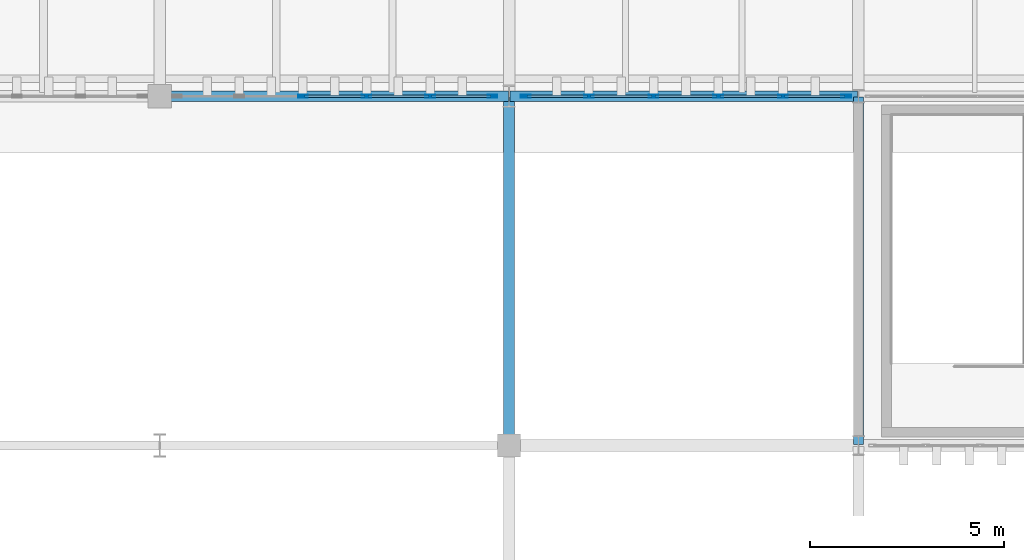
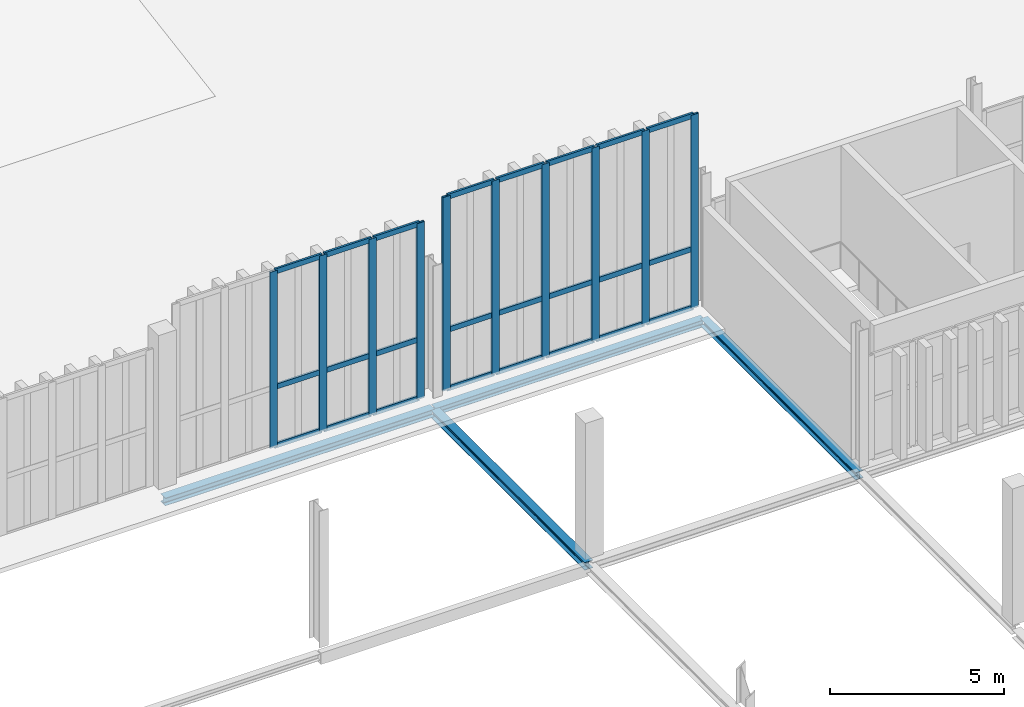
# One storey, part 24 of 196: 34 members, 4 beams, 2 elements without a shape of their own.
"""IFC4 building model written with IfcOpenShell, lengths in metres."""

from ifc_helpers import new_model, si_unit, direction, frame, origin, origin_2d, place, context, subcontext, project, spatial, hollow_rectangle, i_section, extrude, material, layer, layer_set, material_profile, profile_set, type_object, element, aggregate, save


model = new_model("IFC4")

# Units and contexts
model_context = context("Model", 3, precision=1e-05, world=origin(), true_north=direction((0.0, 1.0)))
body_context = subcontext(model_context, "Body", "Model", "MODEL_VIEW")
ifc_project = project(units=[si_unit("LENGTHUNIT", "METRE"), si_unit("AREAUNIT", "SQUARE_METRE"), si_unit("VOLUMEUNIT", "CUBIC_METRE"), si_unit("PLANEANGLEUNIT", "RADIAN"), si_unit("MASSUNIT", "GRAM", prefix="KILO")], contexts=[model_context])

# Site, building, storey
site_placement = place(None, origin())
site = spatial("IfcSite", under=ifc_project, at=site_placement, CompositionType="ELEMENT")
building_placement = place(site_placement, origin())
building = spatial("IfcBuilding", under=site, at=building_placement, Name="Barlavento Convention Centre", CompositionType="ELEMENT")
storey_placement = place(building_placement, frame((0.0, 0.0, 18.0)))
storey = spatial("IfcBuildingStorey", under=building, at=storey_placement, Name="L03", CompositionType="ELEMENT", Elevation=18.0)

# Curtain wall, members
ifc_material_1 = material(Name="Powder-coated aluminium and Low-E glass", Category="aluminium")
ifc_layer = layer(ifc_material_1, 0.18994140625)
ifc_layer_set = layer_set([ifc_layer], Name="ARC-CW-CONG-L02")
curtain_wall_type = type_object("IfcCurtainWallType", Name="ARC-CW-CONG-L02", PredefinedType="NOTDEFINED", material=ifc_layer_set)
curtain_wall_1_placement = place(storey_placement, origin())
curtain_wall_1 = element("IfcCurtainWall", 1, at=curtain_wall_1_placement, inside=storey, type_object=curtain_wall_type, Name="L03 unitised curtain wall CW02", PredefinedType="NOTDEFINED")
ifc_material_2 = material(Name="Powder-coated aluminium", Category="aluminium")
ifc_material_profile_1 = material_profile(ifc_material_2, hollow_rectangle(XDim=0.074951171875, YDim=0.25, WallThickness=0.006103515625, at=origin_2d()), Name="AL-MULL 75x250x6")
ifc_profile_set_1 = profile_set([ifc_material_profile_1], Name="Powder-coated aluminium")
member_type_1 = type_object("IfcMemberType", Name="ARC-CWM-75X250", PredefinedType="MULLION", material=ifc_profile_set_1)
member_1_placement = place(storey_placement, frame((48.6865234375, 54.0, 0.10009765625), z_axis=(0.0, 0.0, 1.0), x_axis=(0.0, 1.0, 0.0)))
member_1 = element("IfcMember", 2, at=member_1_placement, type_object=member_type_1, Name="CW02 mullion 3", PredefinedType="MULLION", context=body_context, shape_type="SweptSolid", body=[
    extrude(hollow_rectangle(XDim=0.074951171875, YDim=0.25, WallThickness=0.006103515625, at=origin_2d()), origin(), (0.0, 0.0, 1.0), 6.19287109375),
])
member_2_placement = place(storey_placement, frame((50.327392578125, 54.0, 0.10009765625), z_axis=(0.0, 0.0, 1.0), x_axis=(0.0, 1.0, 0.0)))
member_2 = element("IfcMember", 3, at=member_2_placement, type_object=member_type_1, Name="CW02 mullion 4", PredefinedType="MULLION", context=body_context, shape_type="SweptSolid", body=[
    extrude(hollow_rectangle(XDim=0.074951171875, YDim=0.25, WallThickness=0.006103515625, at=origin_2d()), origin(), (0.0, 0.0, 1.0), 6.19287109375),
])
member_3_placement = place(storey_placement, frame((51.96826171875, 54.0, 0.10009765625), z_axis=(0.0, 0.0, 1.0), x_axis=(0.0, 1.0, 0.0)))
member_3 = element("IfcMember", 4, at=member_3_placement, type_object=member_type_1, Name="CW02 mullion 5", PredefinedType="MULLION", context=body_context, shape_type="SweptSolid", body=[
    extrude(hollow_rectangle(XDim=0.074951171875, YDim=0.25, WallThickness=0.006103515625, at=origin_2d()), origin(), (0.0, 0.0, 1.0), 6.19287109375),
])
member_4_placement = place(storey_placement, frame((53.571533203125, 54.0, 0.10009765625), z_axis=(0.0, 0.0, 1.0), x_axis=(0.0, 1.0, 0.0)))
member_4 = element("IfcMember", 5, at=member_4_placement, type_object=member_type_1, Name="CW02 mullion 6", PredefinedType="MULLION", context=body_context, shape_type="SweptSolid", body=[
    extrude(hollow_rectangle(XDim=0.074951171875, YDim=0.25, WallThickness=0.006103515625, at=origin_2d()), origin(), (0.0, 0.0, 1.0), 6.19287109375),
])

curtain_wall_2_placement = place(storey_placement, origin())
curtain_wall_2 = element("IfcCurtainWall", 6, at=curtain_wall_2_placement, inside=storey, type_object=curtain_wall_type, Name="L03 unitised curtain wall CW02", PredefinedType="NOTDEFINED")
member_5_placement = place(storey_placement, frame((54.428466796875, 54.0, 0.10009765625), z_axis=(0.0, 0.0, 1.0), x_axis=(0.0, 1.0, 0.0)))
member_5 = element("IfcMember", 7, at=member_5_placement, type_object=member_type_1, Name="CW02 mullion 1", PredefinedType="MULLION", context=body_context, shape_type="SweptSolid", body=[
    extrude(hollow_rectangle(XDim=0.074951171875, YDim=0.25, WallThickness=0.006103515625, at=origin_2d()), origin(), (0.0, 0.0, 1.0), 6.810791015625),
])
member_6_placement = place(storey_placement, frame((56.057861328125, 54.0, 0.10009765625), z_axis=(0.0, 0.0, 1.0), x_axis=(0.0, 1.0, 0.0)))
member_6 = element("IfcMember", 8, at=member_6_placement, type_object=member_type_1, Name="CW02 mullion 2", PredefinedType="MULLION", context=body_context, shape_type="SweptSolid", body=[
    extrude(hollow_rectangle(XDim=0.074951171875, YDim=0.25, WallThickness=0.006103515625, at=origin_2d()), origin(), (0.0, 0.0, 1.0), 6.810791015625),
])
member_7_placement = place(storey_placement, frame((57.724609375, 54.0, 0.10009765625), z_axis=(0.0, 0.0, 1.0), x_axis=(0.0, 1.0, 0.0)))
member_7 = element("IfcMember", 9, at=member_7_placement, type_object=member_type_1, Name="CW02 mullion 3", PredefinedType="MULLION", context=body_context, shape_type="SweptSolid", body=[
    extrude(hollow_rectangle(XDim=0.074951171875, YDim=0.25, WallThickness=0.006103515625, at=origin_2d()), origin(), (0.0, 0.0, 1.0), 6.810791015625),
])
member_8_placement = place(storey_placement, frame((59.391357421875, 54.0, 0.10009765625), z_axis=(0.0, 0.0, 1.0), x_axis=(0.0, 1.0, 0.0)))
member_8 = element("IfcMember", 10, at=member_8_placement, type_object=member_type_1, Name="CW02 mullion 4", PredefinedType="MULLION", context=body_context, shape_type="SweptSolid", body=[
    extrude(hollow_rectangle(XDim=0.074951171875, YDim=0.25, WallThickness=0.006103515625, at=origin_2d()), origin(), (0.0, 0.0, 1.0), 6.810791015625),
])
member_9_placement = place(storey_placement, frame((61.05810546875, 54.0, 0.10009765625), z_axis=(0.0, 0.0, 1.0), x_axis=(0.0, 1.0, 0.0)))
member_9 = element("IfcMember", 11, at=member_9_placement, type_object=member_type_1, Name="CW02 mullion 5", PredefinedType="MULLION", context=body_context, shape_type="SweptSolid", body=[
    extrude(hollow_rectangle(XDim=0.074951171875, YDim=0.25, WallThickness=0.006103515625, at=origin_2d()), origin(), (0.0, 0.0, 1.0), 6.810791015625),
])
member_10_placement = place(storey_placement, frame((62.6875, 54.0, 0.10009765625), z_axis=(0.0, 0.0, 1.0), x_axis=(0.0, 1.0, 0.0)))
member_10 = element("IfcMember", 12, at=member_10_placement, type_object=member_type_1, Name="CW02 mullion 6", PredefinedType="MULLION", context=body_context, shape_type="SweptSolid", body=[
    extrude(hollow_rectangle(XDim=0.074951171875, YDim=0.25, WallThickness=0.006103515625, at=origin_2d()), origin(), (0.0, 0.0, 1.0), 6.810791015625),
])

# Member
ifc_material_profile_2 = material_profile(ifc_material_2, hollow_rectangle(XDim=0.070068359375, YDim=0.179931640625, WallThickness=0.0048828125, at=origin_2d()), Name="AL-TRAN 70x180x5")
ifc_profile_set_2 = profile_set([ifc_material_profile_2], Name="Powder-coated aluminium")
member_type_2 = type_object("IfcMemberType", Name="ARC-CWT-70X180", PredefinedType="USERDEFINED", material=ifc_profile_set_2)
member_11_placement = place(storey_placement, frame((48.72412109375, 54.0, 0.135009765625), z_axis=(1.0, 0.0, 0.0), x_axis=(0.0, 1.0, 0.0)))
member_11 = element("IfcMember", 13, at=member_11_placement, type_object=member_type_2, Name="CW02 transom 3.1", ObjectType="TRANSOM", PredefinedType="USERDEFINED", context=body_context, shape_type="SweptSolid", body=[
    extrude(hollow_rectangle(XDim=0.070068359375, YDim=0.179931640625, WallThickness=0.0048828125, at=origin_2d()), origin(), (0.0, 0.0, 1.0), 1.565673828125),
])

member_12_placement = place(storey_placement, frame((48.72412109375, 54.0, 2.199951171875), z_axis=(1.0, 0.0, 0.0), x_axis=(0.0, 1.0, 0.0)))
member_12 = element("IfcMember", 14, at=member_12_placement, type_object=member_type_2, Name="CW02 transom 3.2", ObjectType="TRANSOM", PredefinedType="USERDEFINED", context=body_context, shape_type="SweptSolid", body=[
    extrude(hollow_rectangle(XDim=0.070068359375, YDim=0.179931640625, WallThickness=0.0048828125, at=origin_2d()), origin(), (0.0, 0.0, 1.0), 1.565673828125),
])

member_13_placement = place(storey_placement, frame((48.72412109375, 54.0, 6.258056640625), z_axis=(1.0, 0.0, 0.0), x_axis=(0.0, 1.0, 0.0)))
member_13 = element("IfcMember", 15, at=member_13_placement, type_object=member_type_2, Name="CW02 transom 3.3", ObjectType="TRANSOM", PredefinedType="USERDEFINED", context=body_context, shape_type="SweptSolid", body=[
    extrude(hollow_rectangle(XDim=0.070068359375, YDim=0.179931640625, WallThickness=0.0048828125, at=origin_2d()), origin(), (0.0, 0.0, 1.0), 1.565673828125),
])

member_14_placement = place(storey_placement, frame((50.364990234375, 54.0, 0.135009765625), z_axis=(1.0, 0.0, 0.0), x_axis=(0.0, 1.0, 0.0)))
member_14 = element("IfcMember", 16, at=member_14_placement, type_object=member_type_2, Name="CW02 transom 4.1", ObjectType="TRANSOM", PredefinedType="USERDEFINED", context=body_context, shape_type="SweptSolid", body=[
    extrude(hollow_rectangle(XDim=0.070068359375, YDim=0.179931640625, WallThickness=0.0048828125, at=origin_2d()), origin(), (0.0, 0.0, 1.0), 1.565673828125),
])

member_15_placement = place(storey_placement, frame((50.364990234375, 54.0, 2.199951171875), z_axis=(1.0, 0.0, 0.0), x_axis=(0.0, 1.0, 0.0)))
member_15 = element("IfcMember", 17, at=member_15_placement, type_object=member_type_2, Name="CW02 transom 4.2", ObjectType="TRANSOM", PredefinedType="USERDEFINED", context=body_context, shape_type="SweptSolid", body=[
    extrude(hollow_rectangle(XDim=0.070068359375, YDim=0.179931640625, WallThickness=0.0048828125, at=origin_2d()), origin(), (0.0, 0.0, 1.0), 1.565673828125),
])

member_16_placement = place(storey_placement, frame((50.364990234375, 54.0, 6.258056640625), z_axis=(1.0, 0.0, 0.0), x_axis=(0.0, 1.0, 0.0)))
member_16 = element("IfcMember", 18, at=member_16_placement, type_object=member_type_2, Name="CW02 transom 4.3", ObjectType="TRANSOM", PredefinedType="USERDEFINED", context=body_context, shape_type="SweptSolid", body=[
    extrude(hollow_rectangle(XDim=0.070068359375, YDim=0.179931640625, WallThickness=0.0048828125, at=origin_2d()), origin(), (0.0, 0.0, 1.0), 1.565673828125),
])

member_17_placement = place(storey_placement, frame((52.005615234375, 54.0, 0.135009765625), z_axis=(1.0, 0.0, 0.0), x_axis=(0.0, 1.0, 0.0)))
member_17 = element("IfcMember", 19, at=member_17_placement, type_object=member_type_2, Name="CW02 transom 5.1", ObjectType="TRANSOM", PredefinedType="USERDEFINED", context=body_context, shape_type="SweptSolid", body=[
    extrude(hollow_rectangle(XDim=0.070068359375, YDim=0.179931640625, WallThickness=0.0048828125, at=origin_2d()), origin(), (0.0, 0.0, 1.0), 1.5283203125),
])

member_18_placement = place(storey_placement, frame((52.005615234375, 54.0, 2.199951171875), z_axis=(1.0, 0.0, 0.0), x_axis=(0.0, 1.0, 0.0)))
member_18 = element("IfcMember", 20, at=member_18_placement, type_object=member_type_2, Name="CW02 transom 5.2", ObjectType="TRANSOM", PredefinedType="USERDEFINED", context=body_context, shape_type="SweptSolid", body=[
    extrude(hollow_rectangle(XDim=0.070068359375, YDim=0.179931640625, WallThickness=0.0048828125, at=origin_2d()), origin(), (0.0, 0.0, 1.0), 1.5283203125),
])

member_19_placement = place(storey_placement, frame((52.005615234375, 54.0, 6.258056640625), z_axis=(1.0, 0.0, 0.0), x_axis=(0.0, 1.0, 0.0)))
member_19 = element("IfcMember", 21, at=member_19_placement, type_object=member_type_2, Name="CW02 transom 5.3", ObjectType="TRANSOM", PredefinedType="USERDEFINED", context=body_context, shape_type="SweptSolid", body=[
    extrude(hollow_rectangle(XDim=0.070068359375, YDim=0.179931640625, WallThickness=0.0048828125, at=origin_2d()), origin(), (0.0, 0.0, 1.0), 1.5283203125),
])

aggregate(curtain_wall_1, [member_1, member_2, member_3, member_4, member_11, member_12, member_13, member_14, member_15, member_16, member_17, member_18, member_19])

member_20_placement = place(storey_placement, frame((54.466064453125, 54.0, 0.135009765625), z_axis=(1.0, 0.0, 0.0), x_axis=(0.0, 1.0, 0.0)))
member_20 = element("IfcMember", 22, at=member_20_placement, type_object=member_type_2, Name="CW02 transom 1.1", ObjectType="TRANSOM", PredefinedType="USERDEFINED", context=body_context, shape_type="SweptSolid", body=[
    extrude(hollow_rectangle(XDim=0.070068359375, YDim=0.179931640625, WallThickness=0.0048828125, at=origin_2d()), origin(), (0.0, 0.0, 1.0), 1.55419921875),
])

member_21_placement = place(storey_placement, frame((54.466064453125, 54.0, 2.199951171875), z_axis=(1.0, 0.0, 0.0), x_axis=(0.0, 1.0, 0.0)))
member_21 = element("IfcMember", 23, at=member_21_placement, type_object=member_type_2, Name="CW02 transom 1.2", ObjectType="TRANSOM", PredefinedType="USERDEFINED", context=body_context, shape_type="SweptSolid", body=[
    extrude(hollow_rectangle(XDim=0.070068359375, YDim=0.179931640625, WallThickness=0.0048828125, at=origin_2d()), origin(), (0.0, 0.0, 1.0), 1.55419921875),
])

member_22_placement = place(storey_placement, frame((54.466064453125, 54.0, 6.8759765625), z_axis=(1.0, 0.0, 0.0), x_axis=(0.0, 1.0, 0.0)))
member_22 = element("IfcMember", 24, at=member_22_placement, type_object=member_type_2, Name="CW02 transom 1.3", ObjectType="TRANSOM", PredefinedType="USERDEFINED", context=body_context, shape_type="SweptSolid", body=[
    extrude(hollow_rectangle(XDim=0.070068359375, YDim=0.179931640625, WallThickness=0.0048828125, at=origin_2d()), origin(), (0.0, 0.0, 1.0), 1.55419921875),
])

member_23_placement = place(storey_placement, frame((56.09521484375, 54.0, 0.135009765625), z_axis=(1.0, 0.0, 0.0), x_axis=(0.0, 1.0, 0.0)))
member_23 = element("IfcMember", 25, at=member_23_placement, type_object=member_type_2, Name="CW02 transom 2.1", ObjectType="TRANSOM", PredefinedType="USERDEFINED", context=body_context, shape_type="SweptSolid", body=[
    extrude(hollow_rectangle(XDim=0.070068359375, YDim=0.179931640625, WallThickness=0.0048828125, at=origin_2d()), origin(), (0.0, 0.0, 1.0), 1.591796875),
])

member_24_placement = place(storey_placement, frame((56.09521484375, 54.0, 2.199951171875), z_axis=(1.0, 0.0, 0.0), x_axis=(0.0, 1.0, 0.0)))
member_24 = element("IfcMember", 26, at=member_24_placement, type_object=member_type_2, Name="CW02 transom 2.2", ObjectType="TRANSOM", PredefinedType="USERDEFINED", context=body_context, shape_type="SweptSolid", body=[
    extrude(hollow_rectangle(XDim=0.070068359375, YDim=0.179931640625, WallThickness=0.0048828125, at=origin_2d()), origin(), (0.0, 0.0, 1.0), 1.591796875),
])

member_25_placement = place(storey_placement, frame((56.09521484375, 54.0, 6.8759765625), z_axis=(1.0, 0.0, 0.0), x_axis=(0.0, 1.0, 0.0)))
member_25 = element("IfcMember", 27, at=member_25_placement, type_object=member_type_2, Name="CW02 transom 2.3", ObjectType="TRANSOM", PredefinedType="USERDEFINED", context=body_context, shape_type="SweptSolid", body=[
    extrude(hollow_rectangle(XDim=0.070068359375, YDim=0.179931640625, WallThickness=0.0048828125, at=origin_2d()), origin(), (0.0, 0.0, 1.0), 1.591796875),
])

member_26_placement = place(storey_placement, frame((57.76220703125, 54.0, 0.135009765625), z_axis=(1.0, 0.0, 0.0), x_axis=(0.0, 1.0, 0.0)))
member_26 = element("IfcMember", 28, at=member_26_placement, type_object=member_type_2, Name="CW02 transom 3.1", ObjectType="TRANSOM", PredefinedType="USERDEFINED", context=body_context, shape_type="SweptSolid", body=[
    extrude(hollow_rectangle(XDim=0.070068359375, YDim=0.179931640625, WallThickness=0.0048828125, at=origin_2d()), origin(), (0.0, 0.0, 1.0), 1.591796875),
])

member_27_placement = place(storey_placement, frame((57.76220703125, 54.0, 2.199951171875), z_axis=(1.0, 0.0, 0.0), x_axis=(0.0, 1.0, 0.0)))
member_27 = element("IfcMember", 29, at=member_27_placement, type_object=member_type_2, Name="CW02 transom 3.2", ObjectType="TRANSOM", PredefinedType="USERDEFINED", context=body_context, shape_type="SweptSolid", body=[
    extrude(hollow_rectangle(XDim=0.070068359375, YDim=0.179931640625, WallThickness=0.0048828125, at=origin_2d()), origin(), (0.0, 0.0, 1.0), 1.591796875),
])

member_28_placement = place(storey_placement, frame((57.76220703125, 54.0, 6.8759765625), z_axis=(1.0, 0.0, 0.0), x_axis=(0.0, 1.0, 0.0)))
member_28 = element("IfcMember", 30, at=member_28_placement, type_object=member_type_2, Name="CW02 transom 3.3", ObjectType="TRANSOM", PredefinedType="USERDEFINED", context=body_context, shape_type="SweptSolid", body=[
    extrude(hollow_rectangle(XDim=0.070068359375, YDim=0.179931640625, WallThickness=0.0048828125, at=origin_2d()), origin(), (0.0, 0.0, 1.0), 1.591796875),
])

member_29_placement = place(storey_placement, frame((59.428955078125, 54.0, 0.135009765625), z_axis=(1.0, 0.0, 0.0), x_axis=(0.0, 1.0, 0.0)))
member_29 = element("IfcMember", 31, at=member_29_placement, type_object=member_type_2, Name="CW02 transom 4.1", ObjectType="TRANSOM", PredefinedType="USERDEFINED", context=body_context, shape_type="SweptSolid", body=[
    extrude(hollow_rectangle(XDim=0.070068359375, YDim=0.179931640625, WallThickness=0.0048828125, at=origin_2d()), origin(), (0.0, 0.0, 1.0), 1.591796875),
])

member_30_placement = place(storey_placement, frame((59.428955078125, 54.0, 2.199951171875), z_axis=(1.0, 0.0, 0.0), x_axis=(0.0, 1.0, 0.0)))
member_30 = element("IfcMember", 32, at=member_30_placement, type_object=member_type_2, Name="CW02 transom 4.2", ObjectType="TRANSOM", PredefinedType="USERDEFINED", context=body_context, shape_type="SweptSolid", body=[
    extrude(hollow_rectangle(XDim=0.070068359375, YDim=0.179931640625, WallThickness=0.0048828125, at=origin_2d()), origin(), (0.0, 0.0, 1.0), 1.591796875),
])

member_31_placement = place(storey_placement, frame((59.428955078125, 54.0, 6.8759765625), z_axis=(1.0, 0.0, 0.0), x_axis=(0.0, 1.0, 0.0)))
member_31 = element("IfcMember", 33, at=member_31_placement, type_object=member_type_2, Name="CW02 transom 4.3", ObjectType="TRANSOM", PredefinedType="USERDEFINED", context=body_context, shape_type="SweptSolid", body=[
    extrude(hollow_rectangle(XDim=0.070068359375, YDim=0.179931640625, WallThickness=0.0048828125, at=origin_2d()), origin(), (0.0, 0.0, 1.0), 1.591796875),
])

member_32_placement = place(storey_placement, frame((61.095703125, 54.0, 0.135009765625), z_axis=(1.0, 0.0, 0.0), x_axis=(0.0, 1.0, 0.0)))
member_32 = element("IfcMember", 34, at=member_32_placement, type_object=member_type_2, Name="CW02 transom 5.1", ObjectType="TRANSOM", PredefinedType="USERDEFINED", context=body_context, shape_type="SweptSolid", body=[
    extrude(hollow_rectangle(XDim=0.070068359375, YDim=0.179931640625, WallThickness=0.0048828125, at=origin_2d()), origin(), (0.0, 0.0, 1.0), 1.55419921875),
])

member_33_placement = place(storey_placement, frame((61.095703125, 54.0, 2.199951171875), z_axis=(1.0, 0.0, 0.0), x_axis=(0.0, 1.0, 0.0)))
member_33 = element("IfcMember", 35, at=member_33_placement, type_object=member_type_2, Name="CW02 transom 5.2", ObjectType="TRANSOM", PredefinedType="USERDEFINED", context=body_context, shape_type="SweptSolid", body=[
    extrude(hollow_rectangle(XDim=0.070068359375, YDim=0.179931640625, WallThickness=0.0048828125, at=origin_2d()), origin(), (0.0, 0.0, 1.0), 1.55419921875),
])

member_34_placement = place(storey_placement, frame((61.095703125, 54.0, 6.8759765625), z_axis=(1.0, 0.0, 0.0), x_axis=(0.0, 1.0, 0.0)))
member_34 = element("IfcMember", 36, at=member_34_placement, type_object=member_type_2, Name="CW02 transom 5.3", ObjectType="TRANSOM", PredefinedType="USERDEFINED", context=body_context, shape_type="SweptSolid", body=[
    extrude(hollow_rectangle(XDim=0.070068359375, YDim=0.179931640625, WallThickness=0.0048828125, at=origin_2d()), origin(), (0.0, 0.0, 1.0), 1.55419921875),
])

aggregate(curtain_wall_2, [member_5, member_6, member_7, member_8, member_9, member_10, member_20, member_21, member_22, member_23, member_24, member_25, member_26, member_27, member_28, member_29, member_30, member_31, member_32, member_33, member_34])

# Beams
ifc_material_3 = material(Name="Steel S355", Category="steel")
ifc_material_profile_3 = material_profile(ifc_material_3, i_section(OverallWidth=0.260009765625, OverallDepth=0.25, WebThickness=0.007568359375, FlangeThickness=0.012451171875, FilletRadius=0.02392578125, at=origin_2d()), Name="HEA 260")
ifc_profile_set_3 = profile_set([ifc_material_profile_3], Name="Steel S355")
beam_type_1 = type_object("IfcBeamType", Name="STR-BM-SPN-HEA260", PredefinedType="SPANDREL", material=ifc_profile_set_3)
for number, where, z_axis, x_axis, name in (
    (37, (54.02001953125, 54.0, -0.469970703125), (1.0, 0.0, 0.0), (0.0, 1.0, 0.0), "L03 primary girder SP04"),
    (38, (63.0, 45.02001953125, -0.469970703125), (0.0, 1.0, 0.0), (-1.0, 0.0, 0.0), "L03 grid girder SP04"),
):
    element("IfcBeam", number, at=place(storey_placement, frame(where, z_axis=z_axis, x_axis=x_axis)), inside=storey, type_object=beam_type_1, Name=name, PredefinedType="SPANDREL", context=body_context, shape_type="SweptSolid", body=[
        extrude(i_section(OverallWidth=0.260009765625, OverallDepth=0.25, WebThickness=0.007568359375, FlangeThickness=0.012451171875, FilletRadius=0.02392578125, at=origin_2d()), origin(), (0.0, 0.0, 1.0), 8.9599609375),
    ])
ifc_material_profile_4 = material_profile(ifc_material_3, i_section(OverallWidth=0.280029296875, OverallDepth=0.27001953125, WebThickness=0.008056640625, FlangeThickness=0.012939453125, FilletRadius=0.02392578125, at=origin_2d()), Name="HEA 280")
ifc_profile_set_4 = profile_set([ifc_material_profile_4], Name="Steel S355")
beam_type_2 = type_object("IfcBeamType", Name="STR-BM-SPN-HEA280", PredefinedType="SPANDREL", material=ifc_profile_set_4)
for number, where, z_axis, x_axis, name in (
    (39, (45.02001953125, 54.0, -0.47998046875), (1.0, 0.0, 0.0), (0.0, 1.0, 0.0), "L03 primary girder SP03"),
    (40, (54.0, 45.02001953125, -0.47998046875), (0.0, 1.0, 0.0), (-1.0, 0.0, 0.0), "L03 grid girder SP03"),
):
    element("IfcBeam", number, at=place(storey_placement, frame(where, z_axis=z_axis, x_axis=x_axis)), inside=storey, type_object=beam_type_2, Name=name, PredefinedType="SPANDREL", context=body_context, shape_type="SweptSolid", body=[
        extrude(i_section(OverallWidth=0.280029296875, OverallDepth=0.27001953125, WebThickness=0.008056640625, FlangeThickness=0.012939453125, FilletRadius=0.02392578125, at=origin_2d()), origin(), (0.0, 0.0, 1.0), 8.9599609375),
    ])

save(model, "model.ifc")
